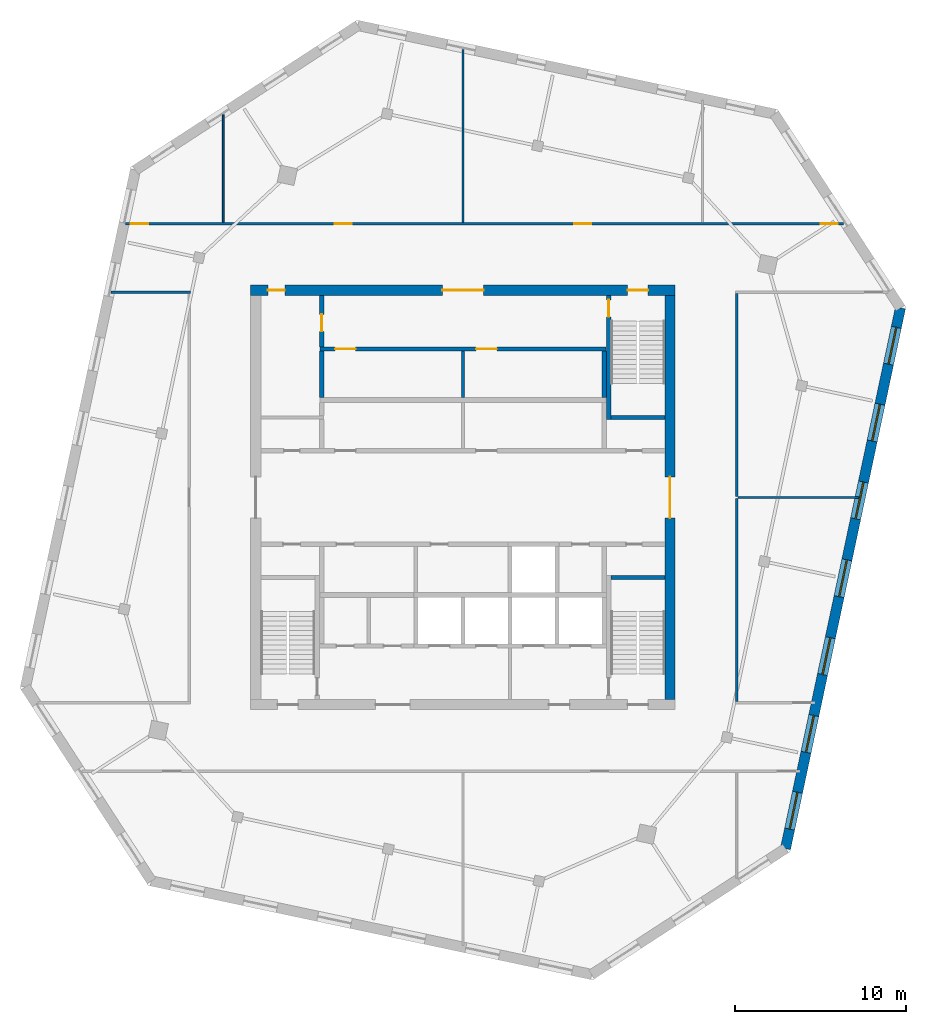
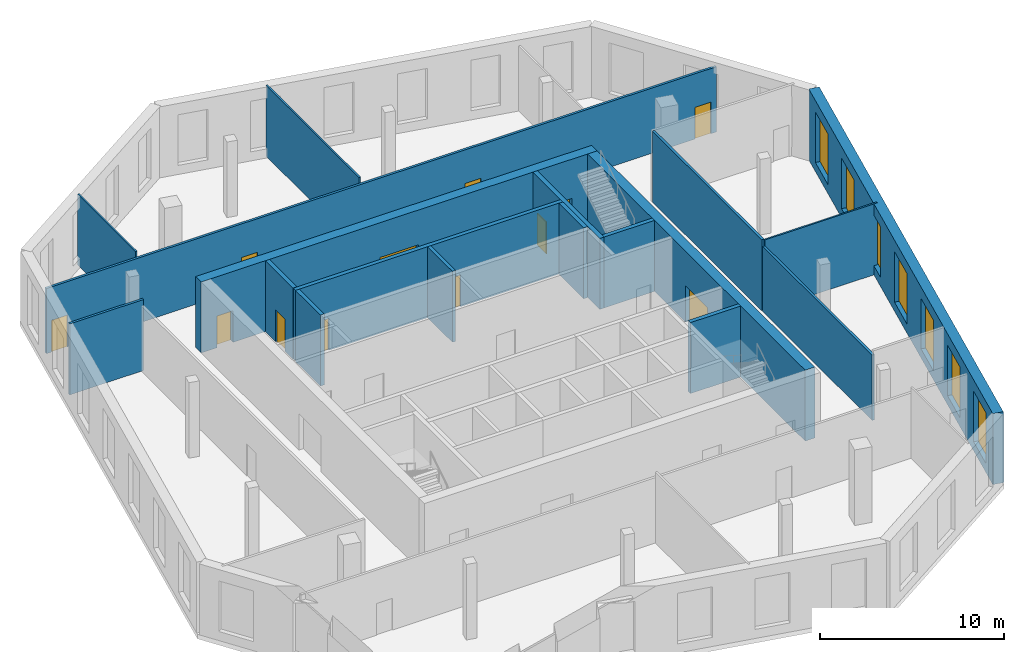
# One storey, part 4 of 6: 18 walls, 12 doors, 7 windows, 19 openings.
"""IFC4 building model written with IfcOpenShell, lengths in metres."""

from ifc_helpers import new_model, si_unit, direction, frame, frame_2d, origin, place, context, subcontext, project, spatial, rectangle, extrude, material, layer, layer_set, type_object, element, fill, save


model = new_model("IFC4")

# Units and contexts
model_context = context("Model", 3, precision=1e-05, world=origin(), true_north=direction((0.0, 1.0)))
body_context = subcontext(model_context, "Body", "Model", "MODEL_VIEW")
ifc_project = project(units=[si_unit("LENGTHUNIT", "METRE"), si_unit("AREAUNIT", "SQUARE_METRE"), si_unit("VOLUMEUNIT", "CUBIC_METRE"), si_unit("PLANEANGLEUNIT", "RADIAN"), si_unit("MASSUNIT", "GRAM", prefix="KILO")], contexts=[model_context])

# Site, building, storey
site_placement = place(None, origin())
site = spatial("IfcSite", under=ifc_project, at=site_placement, CompositionType="ELEMENT")
building_placement = place(site_placement, origin())
building = spatial("IfcBuilding", under=site, at=building_placement, Name="Dilmun Exchange Tower", CompositionType="ELEMENT")
storey_placement = place(building_placement, frame((0.0, 0.0, 358.10009765625)))
storey = spatial("IfcBuildingStorey", under=building, at=storey_placement, Name="Crown L84", CompositionType="ELEMENT", Elevation=358.10009765625)

# Walls
ifc_material_1 = material(Name="Concrete C40/50", Category="concrete")
ifc_layer_1 = layer(ifc_material_1, 0.199951171875)
ifc_layer_set_1 = layer_set([ifc_layer_1], Name="Concrete C40/50")
wall_type_1 = type_object("IfcWallType", Name="Core partition wall 200", PredefinedType="PARTITIONING", material=ifc_layer_set_1)
wall_1_placement = place(storey_placement, frame((0.0, 5.85498046875, 0.0), z_axis=(0.0, 0.0, 1.0), x_axis=(0.0, 1.0, 0.0)))
element("IfcWall", 1, at=wall_1_placement, inside=storey, type_object=wall_type_1, Name="Crown L84 core partition wall 19", PredefinedType="PARTITIONING", context=body_context, shape_type="SweptSolid", body=[
    extrude(rectangle(XDim=2.68994140625, YDim=0.199951171875, at=frame_2d((1.344970703125, 0.0))), origin(), (0.0, 0.0, 1.0), 4.699951171875),
])
ifc_layer_2 = layer(ifc_material_1, 0.25)
ifc_layer_set_2 = layer_set([ifc_layer_2], Name="Concrete C40/50")
wall_type_2 = type_object("IfcWallType", Name="Core partition wall 250", PredefinedType="PARTITIONING", material=ifc_layer_set_2)
for number, where, z_axis, x_axis, name in (
    (2, (-8.25, 5.85498046875, 0.0), (0.0, 0.0, 1.0), (0.0, 1.0, 0.0), "Crown L84 core partition wall 18"),
    (3, (8.25, 5.85498046875, 0.0), (0.0, 0.0, 1.0), (0.0, 1.0, 0.0), "Crown L84 core partition wall 20"),
):
    element("IfcWall", number, at=place(storey_placement, frame(where, z_axis=z_axis, x_axis=x_axis)), inside=storey, type_object=wall_type_2, Name=name, PredefinedType="PARTITIONING", context=body_context, shape_type="SweptSolid", body=[
        extrude(rectangle(XDim=2.68994140625, YDim=0.25, at=frame_2d((1.344970703125, 0.0))), origin(), (0.0, 0.0, 1.0), 4.699951171875),
    ])

# Wall, openings, doors
wall_2_placement = place(storey_placement, frame((-8.35009765625, 8.675048828125, 0.0), z_axis=(0.0, 0.0, 1.0), x_axis=(1.0, 0.0, 0.0)))
wall_2 = element("IfcWall", 4, at=wall_2_placement, inside=storey, type_object=wall_type_2, Name="Crown L84 core partition wall 21", PredefinedType="PARTITIONING", context=body_context, shape_type="SweptSolid", body=[
    extrude(rectangle(XDim=16.72021484375, YDim=0.25, at=frame_2d((8.360107421875, 0.0))), origin(), (0.0, 0.0, 1.0), 4.699951171875),
])
opening_1_placement = place(wall_2_placement, frame((0.875, 0.0, 0.0)))
opening_1 = element("IfcOpeningElement", 5, at=opening_1_placement, cuts=wall_2, Name="Opening CD3", PredefinedType="OPENING", context=body_context, shape_type="SweptSolid", body=[
    extrude(rectangle(XDim=1.199951171875, YDim=2.10009765625, at=frame_2d((0.60009765625, 1.050048828125))), frame((0.0, 0.135009765625, 0.0), z_axis=(0.0, -1.0, 0.0), x_axis=(1.0, 0.0, 0.0)), (0.0, 0.0, 1.0), 0.27001953125),
])
opening_2_placement = place(wall_2_placement, frame((9.125, 0.0, 0.0)))
opening_2 = element("IfcOpeningElement", 6, at=opening_2_placement, cuts=wall_2, Name="Opening CD3", PredefinedType="OPENING", context=body_context, shape_type="SweptSolid", body=[
    extrude(rectangle(XDim=1.199951171875, YDim=2.10009765625, at=frame_2d((0.60009765625, 1.050048828125))), frame((0.0, 0.135009765625, 0.0), z_axis=(0.0, -1.0, 0.0), x_axis=(1.0, 0.0, 0.0)), (0.0, 0.0, 1.0), 0.27001953125),
])
ifc_material_2 = material(Name="Fire-rated steel door set", Category="steel")
door_type_1 = type_object("IfcDoorType", Name="Stair exit door 1200x2100", OperationType="SINGLE_SWING_LEFT", PredefinedType="DOOR", material=ifc_material_2)
door_1_placement = place(opening_1_placement, origin())
door_1 = element("IfcDoor", 7, at=door_1_placement, inside=storey, type_object=door_type_1, Name="Crown L84 door Tenant amenity store", OperationType="SINGLE_SWING_LEFT", OverallHeight=2.10009765625, OverallWidth=1.199951171875, PredefinedType="DOOR", context=body_context, shape_type="SweptSolid", body=[
    extrude(rectangle(XDim=1.199951171875, YDim=2.10009765625, at=frame_2d((0.60009765625, 1.050048828125))), frame((0.0, 0.02490234375, 0.0), z_axis=(0.0, -1.0, 0.0), x_axis=(1.0, 0.0, 0.0)), (0.0, 0.0, 1.0), 0.050048828125),
])
fill(opening_1, door_1)
door_2_placement = place(opening_2_placement, origin())
door_2 = element("IfcDoor", 8, at=door_2_placement, inside=storey, type_object=door_type_1, Name="Crown L84 door Facilities workshop", OperationType="SINGLE_SWING_LEFT", OverallHeight=2.10009765625, OverallWidth=1.199951171875, PredefinedType="DOOR", context=body_context, shape_type="SweptSolid", body=[
    extrude(rectangle(XDim=1.199951171875, YDim=2.10009765625, at=frame_2d((0.60009765625, 1.050048828125))), frame((0.0, 0.02490234375, 0.0), z_axis=(0.0, -1.0, 0.0), x_axis=(1.0, 0.0, 0.0)), (0.0, 0.0, 1.0), 0.050048828125),
])
fill(opening_2, door_2)

# Wall, opening, door
wall_3_placement = place(storey_placement, frame((-8.25, 8.804931640625, 0.0), z_axis=(0.0, 0.0, 1.0), x_axis=(0.0, 1.0, 0.0)))
wall_3 = element("IfcWall", 9, at=wall_3_placement, inside=storey, type_object=wall_type_2, Name="Crown L84 core partition wall 22", PredefinedType="PARTITIONING", context=body_context, shape_type="SweptSolid", body=[
    extrude(rectangle(XDim=2.989990234375, YDim=0.25, at=frame_2d((1.4951171875, 0.0))), origin(), (0.0, 0.0, 1.0), 4.699951171875),
])
opening_3_placement = place(wall_3_placement, frame((0.89501953125, 0.0, 0.0)))
opening_3 = element("IfcOpeningElement", 10, at=opening_3_placement, cuts=wall_3, Name="Opening CD4", PredefinedType="OPENING", context=body_context, shape_type="SweptSolid", body=[
    extrude(rectangle(XDim=1.0, YDim=2.10009765625, at=frame_2d((0.5, 1.050048828125))), frame((0.0, 0.135009765625, 0.0), z_axis=(0.0, -1.0, 0.0), x_axis=(1.0, 0.0, 0.0)), (0.0, 0.0, 1.0), 0.27001953125),
])
door_type_2 = type_object("IfcDoorType", Name="Core room door 1000x2100", OperationType="SINGLE_SWING_LEFT", PredefinedType="DOOR", material=ifc_material_2)
door_3_placement = place(opening_3_placement, origin())
door_3 = element("IfcDoor", 11, at=door_3_placement, inside=storey, type_object=door_type_2, Name="Crown L84 door Building services room", OperationType="SINGLE_SWING_LEFT", OverallHeight=2.10009765625, OverallWidth=1.0, PredefinedType="DOOR", context=body_context, shape_type="SweptSolid", body=[
    extrude(rectangle(XDim=1.0, YDim=2.10009765625, at=frame_2d((0.5, 1.050048828125))), frame((0.0, 0.02490234375, 0.0), z_axis=(0.0, -1.0, 0.0), x_axis=(1.0, 0.0, 0.0)), (0.0, 0.0, 1.0), 0.050048828125),
])
fill(opening_3, door_3)

# Wall, openings, doors
ifc_material_3 = material(Name="Concrete C50/60", Category="concrete")
ifc_layer_3 = layer(ifc_material_3, 0.60009765625)
ifc_layer_set_3 = layer_set([ifc_layer_3], Name="Concrete C50/60")
wall_type_3 = type_object("IfcWallType", Name="Core shear wall 600 Concrete C50/60", PredefinedType="SHEAR", material=ifc_layer_set_3)
wall_4_placement = place(storey_placement, frame((-12.39990234375, 12.10009765625, 0.0), z_axis=(0.0, 0.0, 1.0), x_axis=(1.0, 0.0, 0.0)))
wall_4 = element("IfcWall", 12, at=wall_4_placement, inside=storey, type_object=wall_type_3, Name="Crown L84 core shear wall N", PredefinedType="SHEAR", context=body_context, shape_type="SweptSolid", body=[
    extrude(rectangle(XDim=24.7998046875, YDim=0.60009765625, at=frame_2d((12.39990234375, 0.0))), origin(), (0.0, 0.0, 1.0), 4.699951171875),
])
opening_4_placement = place(wall_4_placement, frame((11.199951171875, 0.0, 0.0)))
opening_4 = element("IfcOpeningElement", 13, at=opening_4_placement, cuts=wall_4, Name="Opening CD1", PredefinedType="OPENING", context=body_context, shape_type="SweptSolid", body=[
    extrude(rectangle(XDim=2.39990234375, YDim=2.39990234375, at=frame_2d((1.199951171875, 1.199951171875))), frame((0.0, 0.31005859375, 0.0), z_axis=(0.0, -1.0, 0.0), x_axis=(1.0, 0.0, 0.0)), (0.0, 0.0, 1.0), 0.6201171875),
])
opening_5_placement = place(wall_4_placement, frame((22.02490234375, 0.0, 0.0)))
opening_5 = element("IfcOpeningElement", 14, at=opening_5_placement, cuts=wall_4, Name="Opening CD3", PredefinedType="OPENING", context=body_context, shape_type="SweptSolid", body=[
    extrude(rectangle(XDim=1.199951171875, YDim=2.10009765625, at=frame_2d((0.60009765625, 1.050048828125))), frame((0.0, 0.31005859375, 0.0), z_axis=(0.0, -1.0, 0.0), x_axis=(1.0, 0.0, 0.0)), (0.0, 0.0, 1.0), 0.6201171875),
])
opening_6_placement = place(wall_4_placement, frame((1.0, 0.0, 0.0)))
opening_6 = element("IfcOpeningElement", 15, at=opening_6_placement, cuts=wall_4, Name="Opening CD4", PredefinedType="OPENING", context=body_context, shape_type="SweptSolid", body=[
    extrude(rectangle(XDim=1.0, YDim=2.10009765625, at=frame_2d((0.5, 1.050048828125))), frame((0.0, 0.31005859375, 0.0), z_axis=(0.0, -1.0, 0.0), x_axis=(1.0, 0.0, 0.0)), (0.0, 0.0, 1.0), 0.6201171875),
])
door_type_3 = type_object("IfcDoorType", Name="Core lobby door 2400x2400", OperationType="DOUBLE_DOOR_DOUBLE_SWING", PredefinedType="DOOR", material=ifc_material_2)
door_4_placement = place(opening_4_placement, origin())
door_4 = element("IfcDoor", 16, at=door_4_placement, inside=storey, type_object=door_type_3, Name="Crown L84 door North lift lobby", OperationType="SINGLE_SWING_LEFT", OverallHeight=2.39990234375, OverallWidth=2.39990234375, PredefinedType="DOOR", context=body_context, shape_type="SweptSolid", body=[
    extrude(rectangle(XDim=2.39990234375, YDim=2.39990234375, at=frame_2d((1.199951171875, 1.199951171875))), frame((0.0, 0.02490234375, 0.0), z_axis=(0.0, -1.0, 0.0), x_axis=(1.0, 0.0, 0.0)), (0.0, 0.0, 1.0), 0.050048828125),
])
fill(opening_4, door_4)
door_5_placement = place(opening_6_placement, origin())
door_5 = element("IfcDoor", 17, at=door_5_placement, inside=storey, type_object=door_type_2, Name="Crown L84 door North-west core rooms", OperationType="SINGLE_SWING_LEFT", OverallHeight=2.10009765625, OverallWidth=1.0, PredefinedType="DOOR", context=body_context, shape_type="SweptSolid", body=[
    extrude(rectangle(XDim=1.0, YDim=2.10009765625, at=frame_2d((0.5, 1.050048828125))), frame((0.0, 0.02490234375, 0.0), z_axis=(0.0, -1.0, 0.0), x_axis=(1.0, 0.0, 0.0)), (0.0, 0.0, 1.0), 0.050048828125),
])
fill(opening_6, door_5)
door_6_placement = place(opening_5_placement, origin())
door_6 = element("IfcDoor", 18, at=door_6_placement, inside=storey, type_object=door_type_1, Name="Crown L84 door Stair ST1", OperationType="SINGLE_SWING_LEFT", OverallHeight=2.10009765625, OverallWidth=1.199951171875, PredefinedType="DOOR", context=body_context, shape_type="SweptSolid", body=[
    extrude(rectangle(XDim=1.199951171875, YDim=2.10009765625, at=frame_2d((0.60009765625, 1.050048828125))), frame((0.0, 0.02490234375, 0.0), z_axis=(0.0, -1.0, 0.0), x_axis=(1.0, 0.0, 0.0)), (0.0, 0.0, 1.0), 0.050048828125),
])
fill(opening_5, door_6)

# Wall, opening, door
wall_5_placement = place(storey_placement, frame((12.10009765625, -11.800048828125, 0.0), z_axis=(0.0, 0.0, 1.0), x_axis=(0.0, 1.0, 0.0)))
wall_5 = element("IfcWall", 19, at=wall_5_placement, inside=storey, type_object=wall_type_3, Name="Crown L84 core shear wall E", PredefinedType="SHEAR", context=body_context, shape_type="SweptSolid", body=[
    extrude(rectangle(XDim=23.60009765625, YDim=0.60009765625, at=frame_2d((11.800048828125, 0.0))), origin(), (0.0, 0.0, 1.0), 4.699951171875),
])
opening_7_placement = place(wall_5_placement, frame((10.60009765625, 0.0, 0.0)))
opening_7 = element("IfcOpeningElement", 20, at=opening_7_placement, cuts=wall_5, Name="Opening CD1", PredefinedType="OPENING", context=body_context, shape_type="SweptSolid", body=[
    extrude(rectangle(XDim=2.39990234375, YDim=2.39990234375, at=frame_2d((1.199951171875, 1.199951171875))), frame((0.0, 0.31005859375, 0.0), z_axis=(0.0, -1.0, 0.0), x_axis=(1.0, 0.0, 0.0)), (0.0, 0.0, 1.0), 0.6201171875),
])
door_7_placement = place(opening_7_placement, origin())
door_7 = element("IfcDoor", 21, at=door_7_placement, inside=storey, type_object=door_type_3, Name="Crown L84 door Central lift lobby", OperationType="SINGLE_SWING_LEFT", OverallHeight=2.39990234375, OverallWidth=2.39990234375, PredefinedType="DOOR", context=body_context, shape_type="SweptSolid", body=[
    extrude(rectangle(XDim=2.39990234375, YDim=2.39990234375, at=frame_2d((1.199951171875, 1.199951171875))), frame((0.0, 0.02490234375, 0.0), z_axis=(0.0, -1.0, 0.0), x_axis=(1.0, 0.0, 0.0)), (0.0, 0.0, 1.0), 0.050048828125),
])
fill(opening_7, door_7)

# Wall
ifc_material_4 = material(Name="Fire partition EI 60 150 gypsum")
ifc_layer_4 = layer(ifc_material_4, 0.14990234375)
ifc_layer_set_4 = layer_set([ifc_layer_4], Name="Fire partition EI 60 150 gypsum")
wall_type_4 = type_object("IfcWallType", Name="Fire partition EI 60 150 gypsum", PredefinedType="PARTITIONING", material=ifc_layer_set_4)
wall_6_placement = place(storey_placement, frame((-20.55419921875, 12.0, 0.0), z_axis=(0.0, 0.0, 1.0), x_axis=(1.0, 0.0, 0.0)))
element("IfcWall", 22, at=wall_6_placement, inside=storey, type_object=wall_type_4, Name="Crown L84 partition", PredefinedType="PARTITIONING", context=body_context, shape_type="SweptSolid", body=[
    extrude(rectangle(XDim=4.629150390625, YDim=0.14990234375, at=frame_2d((2.314453125, 0.0))), origin(), (0.0, 0.0, 1.0), 4.699951171875),
])

# Wall, openings, doors
wall_7_placement = place(storey_placement, frame((-19.7041015625, 16.0, 0.0), z_axis=(0.0, 0.0, 1.0), x_axis=(1.0, 0.0, 0.0)))
wall_7 = element("IfcWall", 23, at=wall_7_placement, inside=storey, type_object=wall_type_4, Name="Crown L84 partition", PredefinedType="PARTITIONING", context=body_context, shape_type="SweptSolid", body=[
    extrude(rectangle(XDim=41.947998046875, YDim=0.14990234375, at=frame_2d((20.97412109375, 0.0))), origin(), (0.0, 0.0, 1.0), 4.31982421875),
])
opening_8_placement = place(wall_7_placement, frame((0.303955078125, 0.0, 0.0)))
opening_8 = element("IfcOpeningElement", 24, at=opening_8_placement, cuts=wall_7, Name="Opening CrownL84-D001", PredefinedType="OPENING", context=body_context, shape_type="SweptSolid", body=[
    extrude(rectangle(XDim=1.0, YDim=2.10009765625, at=frame_2d((0.5, 1.050048828125))), frame((0.0, 0.0849609375, 0.0), z_axis=(0.0, -1.0, 0.0), x_axis=(1.0, 0.0, 0.0)), (0.0, 0.0, 1.0), 0.169921875),
])
opening_9_placement = place(wall_7_placement, frame((12.2041015625, 0.0, 0.0)))
opening_9 = element("IfcOpeningElement", 25, at=opening_9_placement, cuts=wall_7, Name="Opening CrownL84-D002", PredefinedType="OPENING", context=body_context, shape_type="SweptSolid", body=[
    extrude(rectangle(XDim=1.0, YDim=2.10009765625, at=frame_2d((0.5, 1.050048828125))), frame((0.0, 0.0849609375, 0.0), z_axis=(0.0, -1.0, 0.0), x_axis=(1.0, 0.0, 0.0)), (0.0, 0.0, 1.0), 0.169921875),
])
opening_10_placement = place(wall_7_placement, frame((26.2041015625, 0.0, 0.0)))
opening_10 = element("IfcOpeningElement", 26, at=opening_10_placement, cuts=wall_7, Name="Opening CrownL84-D003", PredefinedType="OPENING", context=body_context, shape_type="SweptSolid", body=[
    extrude(rectangle(XDim=1.0, YDim=2.10009765625, at=frame_2d((0.5, 1.050048828125))), frame((0.0, 0.0849609375, 0.0), z_axis=(0.0, -1.0, 0.0), x_axis=(1.0, 0.0, 0.0)), (0.0, 0.0, 1.0), 0.169921875),
])
opening_11_placement = place(wall_7_placement, frame((40.60400390625, 0.0, 0.0)))
opening_11 = element("IfcOpeningElement", 27, at=opening_11_placement, cuts=wall_7, Name="Opening CrownL84-D004", PredefinedType="OPENING", context=body_context, shape_type="SweptSolid", body=[
    extrude(rectangle(XDim=1.0, YDim=2.10009765625, at=frame_2d((0.5, 1.050048828125))), frame((0.0, 0.0849609375, 0.0), z_axis=(0.0, -1.0, 0.0), x_axis=(1.0, 0.0, 0.0)), (0.0, 0.0, 1.0), 0.169921875),
])
ifc_material_5 = material(Name="Fire door FD60 1000 x 2100")
door_type_4 = type_object("IfcDoorType", Name="Fire door FD60 1000 x 2100", OperationType="SINGLE_SWING_LEFT", PredefinedType="DOOR", material=ifc_material_5)
door_8_placement = place(opening_8_placement, origin())
door_8 = element("IfcDoor", 28, at=door_8_placement, inside=storey, type_object=door_type_4, Name="Crown L84 door CrownL84-D001", OperationType="SINGLE_SWING_LEFT", OverallHeight=2.10009765625, OverallWidth=1.0, PredefinedType="DOOR", context=body_context, shape_type="SweptSolid", body=[
    extrude(rectangle(XDim=1.0, YDim=2.10009765625, at=frame_2d((0.5, 1.050048828125))), frame((0.0, 0.02490234375, 0.0), z_axis=(0.0, -1.0, 0.0), x_axis=(1.0, 0.0, 0.0)), (0.0, 0.0, 1.0), 0.050048828125),
])
fill(opening_8, door_8)
door_9_placement = place(opening_9_placement, origin())
door_9 = element("IfcDoor", 29, at=door_9_placement, inside=storey, type_object=door_type_4, Name="Crown L84 door CrownL84-D002", OperationType="SINGLE_SWING_RIGHT", OverallHeight=2.10009765625, OverallWidth=1.0, PredefinedType="DOOR", context=body_context, shape_type="SweptSolid", body=[
    extrude(rectangle(XDim=1.0, YDim=2.10009765625, at=frame_2d((0.5, 1.050048828125))), frame((0.0, 0.02490234375, 0.0), z_axis=(0.0, -1.0, 0.0), x_axis=(1.0, 0.0, 0.0)), (0.0, 0.0, 1.0), 0.050048828125),
])
fill(opening_9, door_9)
door_10_placement = place(opening_10_placement, origin())
door_10 = element("IfcDoor", 30, at=door_10_placement, inside=storey, type_object=door_type_4, Name="Crown L84 door CrownL84-D003", OperationType="SINGLE_SWING_LEFT", OverallHeight=2.10009765625, OverallWidth=1.0, PredefinedType="DOOR", context=body_context, shape_type="SweptSolid", body=[
    extrude(rectangle(XDim=1.0, YDim=2.10009765625, at=frame_2d((0.5, 1.050048828125))), frame((0.0, 0.02490234375, 0.0), z_axis=(0.0, -1.0, 0.0), x_axis=(1.0, 0.0, 0.0)), (0.0, 0.0, 1.0), 0.050048828125),
])
fill(opening_10, door_10)
door_11_placement = place(opening_11_placement, origin())
door_11 = element("IfcDoor", 31, at=door_11_placement, inside=storey, type_object=door_type_4, Name="Crown L84 door CrownL84-D004", OperationType="SINGLE_SWING_RIGHT", OverallHeight=2.10009765625, OverallWidth=1.0, PredefinedType="DOOR", context=body_context, shape_type="SweptSolid", body=[
    extrude(rectangle(XDim=1.0, YDim=2.10009765625, at=frame_2d((0.5, 1.050048828125))), frame((0.0, 0.02490234375, 0.0), z_axis=(0.0, -1.0, 0.0), x_axis=(1.0, 0.0, 0.0)), (0.0, 0.0, 1.0), 0.050048828125),
])
fill(opening_11, door_11)

# Walls
wall_8_placement = place(storey_placement, frame((16.0, -11.925048828125, 0.0), z_axis=(0.0, 0.0, 1.0), x_axis=(0.0, 1.0, 0.0)))
element("IfcWall", 32, at=wall_8_placement, inside=storey, type_object=wall_type_4, Name="Crown L84 partition", PredefinedType="PARTITIONING", context=body_context, shape_type="SweptSolid", body=[
    extrude(rectangle(XDim=11.875, YDim=0.14990234375, at=frame_2d((5.9375, 0.0))), origin(), (0.0, 0.0, 1.0), 4.31982421875),
])
wall_9_placement = place(storey_placement, frame((16.0, 0.050048828125, 0.0), z_axis=(0.0, 0.0, 1.0), x_axis=(0.0, 1.0, 0.0)))
element("IfcWall", 33, at=wall_9_placement, inside=storey, type_object=wall_type_4, Name="Crown L84 partition", PredefinedType="PARTITIONING", context=body_context, shape_type="SweptSolid", body=[
    extrude(rectangle(XDim=11.875, YDim=0.14990234375, at=frame_2d((5.9375, 0.0))), origin(), (0.0, 0.0, 1.0), 4.699951171875),
])
ifc_material_6 = material(Name="Partition 100 gypsum")
ifc_layer_5 = layer(ifc_material_6, 0.10009765625)
ifc_layer_set_5 = layer_set([ifc_layer_5], Name="Partition 100 gypsum")
wall_type_5 = type_object("IfcWallType", Name="Partition 100 gypsum", PredefinedType="PARTITIONING", material=ifc_layer_set_5)
wall_10_placement = place(storey_placement, frame((16.074951171875, 0.0, 0.0), z_axis=(0.0, 0.0, 1.0), x_axis=(1.0, 0.0, 0.0)))
element("IfcWall", 34, at=wall_10_placement, inside=storey, type_object=wall_type_5, Name="Crown L84 partition", PredefinedType="PARTITIONING", context=body_context, shape_type="SweptSolid", body=[
    extrude(rectangle(XDim=7.030029296875, YDim=0.10009765625, at=frame_2d((3.51513671875, 0.0))), origin(), (0.0, 0.0, 1.0), 4.699951171875),
])
wall_11_placement = place(storey_placement, frame((-14.0, 16.074951171875, 0.0), z_axis=(0.0, 0.0, 1.0), x_axis=(0.0, 1.0, 0.0)))
element("IfcWall", 35, at=wall_11_placement, inside=storey, type_object=wall_type_5, Name="Crown L84 partition", PredefinedType="PARTITIONING", context=body_context, shape_type="SweptSolid", body=[
    extrude(rectangle(XDim=6.275390625, YDim=0.10009765625, at=frame_2d((3.1376953125, 0.0))), origin(), (0.0, 0.0, 1.0), 4.699951171875),
])
wall_12_placement = place(storey_placement, frame((0.0, 16.074951171875, 0.0), z_axis=(0.0, 0.0, 1.0), x_axis=(0.0, 1.0, 0.0)))
element("IfcWall", 36, at=wall_12_placement, inside=storey, type_object=wall_type_5, Name="Crown L84 partition", PredefinedType="PARTITIONING", context=body_context, shape_type="SweptSolid", body=[
    extrude(rectangle(XDim=10.096923828125, YDim=0.10009765625, at=frame_2d((5.04833984375, 0.0))), origin(), (0.0, 0.0, 1.0), 4.699951171875),
])

# Wall, openings, windows
ifc_material_7 = material(Name="Precast concrete C50/60", Category="concrete")
ifc_layer_6 = layer(ifc_material_7, 0.60009765625)
ifc_layer_set_6 = layer_set([ifc_layer_6], Name="Precast concrete C50/60")
wall_type_6 = type_object("IfcWallType", Name="Precast stone-clad wall 600", PredefinedType="STANDARD", material=ifc_layer_set_6)
wall_13_placement = place(storey_placement, frame((18.8466796875, -20.514404296875, 0.0), z_axis=(0.0, 0.0, 1.0), x_axis=(0.207910832809, 0.978147783109, 0.0)))
wall_13 = element("IfcWall", 37, at=wall_13_placement, inside=storey, type_object=wall_type_6, Name="Facade wall Crown L84-02", PredefinedType="STANDARD", context=body_context, shape_type="SweptSolid", body=[
    extrude(rectangle(XDim=32.295654296875, YDim=0.60009765625, at=frame_2d((16.14794921875, 0.0))), origin(), (0.0, 0.0, 1.0), 4.699951171875),
])
opening_12_placement = place(wall_13_placement, frame((1.16259765625, 0.0, 0.60009765625)))
opening_12 = element("IfcOpeningElement", 38, at=opening_12_placement, cuts=wall_13, Name="Opening LV220-335", PredefinedType="OPENING", context=body_context, shape_type="SweptSolid", body=[
    extrude(rectangle(XDim=2.199951171875, YDim=3.35009765625, at=frame_2d((1.10009765625, 1.675048828125))), frame((0.0, 0.31005859375, 0.0), z_axis=(0.0, -1.0, 0.0), x_axis=(1.0, 0.0, 0.0)), (0.0, 0.0, 1.0), 0.6201171875),
])
opening_13_placement = place(wall_13_placement, frame((5.74951171875, 0.0, 0.60009765625)))
opening_13 = element("IfcOpeningElement", 39, at=opening_13_placement, cuts=wall_13, Name="Opening LV220-335", PredefinedType="OPENING", context=body_context, shape_type="SweptSolid", body=[
    extrude(rectangle(XDim=2.199951171875, YDim=3.35009765625, at=frame_2d((1.10009765625, 1.675048828125))), frame((0.0, 0.31005859375, 0.0), z_axis=(0.0, -1.0, 0.0), x_axis=(1.0, 0.0, 0.0)), (0.0, 0.0, 1.0), 0.6201171875),
])
opening_14_placement = place(wall_13_placement, frame((10.398681640625, 0.0, 0.60009765625)))
opening_14 = element("IfcOpeningElement", 40, at=opening_14_placement, cuts=wall_13, Name="Opening LV220-335", PredefinedType="OPENING", context=body_context, shape_type="SweptSolid", body=[
    extrude(rectangle(XDim=2.199951171875, YDim=3.35009765625, at=frame_2d((1.10009765625, 1.675048828125))), frame((0.0, 0.31005859375, 0.0), z_axis=(0.0, -1.0, 0.0), x_axis=(1.0, 0.0, 0.0)), (0.0, 0.0, 1.0), 0.6201171875),
])
opening_15_placement = place(wall_13_placement, frame((15.0478515625, 0.0, 0.60009765625)))
opening_15 = element("IfcOpeningElement", 41, at=opening_15_placement, cuts=wall_13, Name="Opening LV220-335", PredefinedType="OPENING", context=body_context, shape_type="SweptSolid", body=[
    extrude(rectangle(XDim=2.199951171875, YDim=3.35009765625, at=frame_2d((1.10009765625, 1.675048828125))), frame((0.0, 0.31005859375, 0.0), z_axis=(0.0, -1.0, 0.0), x_axis=(1.0, 0.0, 0.0)), (0.0, 0.0, 1.0), 0.6201171875),
])
opening_16_placement = place(wall_13_placement, frame((19.697021484375, 0.0, 0.60009765625)))
opening_16 = element("IfcOpeningElement", 42, at=opening_16_placement, cuts=wall_13, Name="Opening LV220-335", PredefinedType="OPENING", context=body_context, shape_type="SweptSolid", body=[
    extrude(rectangle(XDim=2.199951171875, YDim=3.35009765625, at=frame_2d((1.10009765625, 1.675048828125))), frame((0.0, 0.31005859375, 0.0), z_axis=(0.0, -1.0, 0.0), x_axis=(1.0, 0.0, 0.0)), (0.0, 0.0, 1.0), 0.6201171875),
])
opening_17_placement = place(wall_13_placement, frame((24.34619140625, 0.0, 0.60009765625)))
opening_17 = element("IfcOpeningElement", 43, at=opening_17_placement, cuts=wall_13, Name="Opening LV220-335", PredefinedType="OPENING", context=body_context, shape_type="SweptSolid", body=[
    extrude(rectangle(XDim=2.199951171875, YDim=3.35009765625, at=frame_2d((1.10009765625, 1.675048828125))), frame((0.0, 0.31005859375, 0.0), z_axis=(0.0, -1.0, 0.0), x_axis=(1.0, 0.0, 0.0)), (0.0, 0.0, 1.0), 0.6201171875),
])
opening_18_placement = place(wall_13_placement, frame((28.93310546875, 0.0, 0.60009765625)))
opening_18 = element("IfcOpeningElement", 44, at=opening_18_placement, cuts=wall_13, Name="Opening LV220-335", PredefinedType="OPENING", context=body_context, shape_type="SweptSolid", body=[
    extrude(rectangle(XDim=2.199951171875, YDim=3.35009765625, at=frame_2d((1.10009765625, 1.675048828125))), frame((0.0, 0.31005859375, 0.0), z_axis=(0.0, -1.0, 0.0), x_axis=(1.0, 0.0, 0.0)), (0.0, 0.0, 1.0), 0.6201171875),
])
ifc_material_8 = material(Name="Anodised aluminium louvre blades with sand trap", Category="aluminium")
window_type = type_object("IfcWindowType", Name="Plant louvre 2200 x 3350", PartitioningType="SINGLE_PANEL", PredefinedType="USERDEFINED", material=ifc_material_8)
window_1_placement = place(opening_12_placement, origin())
window_1 = element("IfcWindow", 45, at=window_1_placement, inside=storey, type_object=window_type, Name="Plant louvre 3.1", ObjectType="LOUVRE", OverallHeight=3.35009765625, OverallWidth=2.199951171875, PartitioningType="SINGLE_PANEL", PredefinedType="USERDEFINED", context=body_context, shape_type="SweptSolid", body=[
    extrude(rectangle(XDim=2.199951171875, YDim=3.35009765625, at=frame_2d((1.10009765625, 1.675048828125))), frame((0.0, 0.030029296875, 0.0), z_axis=(0.0, -1.0, 0.0), x_axis=(1.0, 0.0, 0.0)), (0.0, 0.0, 1.0), 0.06005859375),
])
fill(opening_12, window_1)
window_2_placement = place(opening_13_placement, origin())
window_2 = element("IfcWindow", 46, at=window_2_placement, inside=storey, type_object=window_type, Name="Plant louvre 3.2", ObjectType="LOUVRE", OverallHeight=3.35009765625, OverallWidth=2.199951171875, PartitioningType="SINGLE_PANEL", PredefinedType="USERDEFINED", context=body_context, shape_type="SweptSolid", body=[
    extrude(rectangle(XDim=2.199951171875, YDim=3.35009765625, at=frame_2d((1.10009765625, 1.675048828125))), frame((0.0, 0.030029296875, 0.0), z_axis=(0.0, -1.0, 0.0), x_axis=(1.0, 0.0, 0.0)), (0.0, 0.0, 1.0), 0.06005859375),
])
fill(opening_13, window_2)
window_3_placement = place(opening_14_placement, origin())
window_3 = element("IfcWindow", 47, at=window_3_placement, inside=storey, type_object=window_type, Name="Plant louvre 3.3", ObjectType="LOUVRE", OverallHeight=3.35009765625, OverallWidth=2.199951171875, PartitioningType="SINGLE_PANEL", PredefinedType="USERDEFINED", context=body_context, shape_type="SweptSolid", body=[
    extrude(rectangle(XDim=2.199951171875, YDim=3.35009765625, at=frame_2d((1.10009765625, 1.675048828125))), frame((0.0, 0.030029296875, 0.0), z_axis=(0.0, -1.0, 0.0), x_axis=(1.0, 0.0, 0.0)), (0.0, 0.0, 1.0), 0.06005859375),
])
fill(opening_14, window_3)
window_4_placement = place(opening_15_placement, origin())
window_4 = element("IfcWindow", 48, at=window_4_placement, inside=storey, type_object=window_type, Name="Plant louvre 3.4", ObjectType="LOUVRE", OverallHeight=3.35009765625, OverallWidth=2.199951171875, PartitioningType="SINGLE_PANEL", PredefinedType="USERDEFINED", context=body_context, shape_type="SweptSolid", body=[
    extrude(rectangle(XDim=2.199951171875, YDim=3.35009765625, at=frame_2d((1.10009765625, 1.675048828125))), frame((0.0, 0.030029296875, 0.0), z_axis=(0.0, -1.0, 0.0), x_axis=(1.0, 0.0, 0.0)), (0.0, 0.0, 1.0), 0.06005859375),
])
fill(opening_15, window_4)
window_5_placement = place(opening_16_placement, origin())
window_5 = element("IfcWindow", 49, at=window_5_placement, inside=storey, type_object=window_type, Name="Plant louvre 3.5", ObjectType="LOUVRE", OverallHeight=3.35009765625, OverallWidth=2.199951171875, PartitioningType="SINGLE_PANEL", PredefinedType="USERDEFINED", context=body_context, shape_type="SweptSolid", body=[
    extrude(rectangle(XDim=2.199951171875, YDim=3.35009765625, at=frame_2d((1.10009765625, 1.675048828125))), frame((0.0, 0.030029296875, 0.0), z_axis=(0.0, -1.0, 0.0), x_axis=(1.0, 0.0, 0.0)), (0.0, 0.0, 1.0), 0.06005859375),
])
fill(opening_16, window_5)
window_6_placement = place(opening_17_placement, origin())
window_6 = element("IfcWindow", 50, at=window_6_placement, inside=storey, type_object=window_type, Name="Plant louvre 3.6", ObjectType="LOUVRE", OverallHeight=3.35009765625, OverallWidth=2.199951171875, PartitioningType="SINGLE_PANEL", PredefinedType="USERDEFINED", context=body_context, shape_type="SweptSolid", body=[
    extrude(rectangle(XDim=2.199951171875, YDim=3.35009765625, at=frame_2d((1.10009765625, 1.675048828125))), frame((0.0, 0.030029296875, 0.0), z_axis=(0.0, -1.0, 0.0), x_axis=(1.0, 0.0, 0.0)), (0.0, 0.0, 1.0), 0.06005859375),
])
fill(opening_17, window_6)
window_7_placement = place(opening_18_placement, origin())
window_7 = element("IfcWindow", 51, at=window_7_placement, inside=storey, type_object=window_type, Name="Plant louvre 3.7", ObjectType="LOUVRE", OverallHeight=3.35009765625, OverallWidth=2.199951171875, PartitioningType="SINGLE_PANEL", PredefinedType="USERDEFINED", context=body_context, shape_type="SweptSolid", body=[
    extrude(rectangle(XDim=2.199951171875, YDim=3.35009765625, at=frame_2d((1.10009765625, 1.675048828125))), frame((0.0, 0.030029296875, 0.0), z_axis=(0.0, -1.0, 0.0), x_axis=(1.0, 0.0, 0.0)), (0.0, 0.0, 1.0), 0.06005859375),
])
fill(opening_18, window_7)

# Walls
ifc_layer_7 = layer(ifc_material_1, 0.25)
ifc_layer_set_7 = layer_set([ifc_layer_7], Name="Concrete C40/50")
wall_type_7 = type_object("IfcWallType", Name="Stair end wall 250", PredefinedType="SOLIDWALL", material=ifc_layer_set_7)
for number, where, z_axis, x_axis, name in (
    (52, (8.64990234375, 4.675048828125, 0.0), (0.0, 0.0, 1.0), (1.0, 0.0, 0.0), "Crown L84 ST1 far wall"),
    (53, (8.64990234375, -4.675048828125, 0.0), (0.0, 0.0, 1.0), (1.0, 0.0, 0.0), "Crown L84 ST3 far wall"),
):
    element("IfcWall", number, at=place(storey_placement, frame(where, z_axis=z_axis, x_axis=x_axis)), inside=storey, type_object=wall_type_7, Name=name, PredefinedType="SOLIDWALL", context=body_context, shape_type="SweptSolid", body=[
        extrude(rectangle(XDim=3.150146484375, YDim=0.25, at=frame_2d((1.5751953125, 0.0))), origin(), (0.0, 0.0, 1.0), 4.699951171875),
    ])

# Wall, opening, door
ifc_layer_8 = layer(ifc_material_1, 0.27490234375)
ifc_layer_set_8 = layer_set([ifc_layer_8], Name="Concrete C40/50")
wall_type_8 = type_object("IfcWallType", Name="Stair wall 275", PredefinedType="SOLIDWALL", material=ifc_layer_set_8)
wall_14_placement = place(storey_placement, frame((8.512451171875, 4.550048828125, 0.0), z_axis=(0.0, 0.0, 1.0), x_axis=(0.0, 1.0, 0.0)))
wall_14 = element("IfcWall", 54, at=wall_14_placement, inside=storey, type_object=wall_type_8, Name="Crown L84 ST1 wall to lift block", PredefinedType="SOLIDWALL", context=body_context, shape_type="SweptSolid", body=[
    extrude(rectangle(XDim=7.25, YDim=0.27490234375, at=frame_2d((3.625, 0.0))), origin(), (0.0, 0.0, 1.0), 4.699951171875),
])
opening_19_placement = place(wall_14_placement, frame((6.0, 0.0, 0.0)))
opening_19 = element("IfcOpeningElement", 55, at=opening_19_placement, cuts=wall_14, Name="Opening CD4", PredefinedType="OPENING", context=body_context, shape_type="SweptSolid", body=[
    extrude(rectangle(XDim=1.0, YDim=2.10009765625, at=frame_2d((0.5, 1.050048828125))), frame((0.0, 0.1474609375, 0.0), z_axis=(0.0, -1.0, 0.0), x_axis=(1.0, 0.0, 0.0)), (0.0, 0.0, 1.0), 0.294921875),
])
door_12_placement = place(opening_19_placement, origin())
door_12 = element("IfcDoor", 56, at=door_12_placement, inside=storey, type_object=door_type_2, Name="Crown L84 door ST1 from lobby", OperationType="SINGLE_SWING_LEFT", OverallHeight=2.10009765625, OverallWidth=1.0, PredefinedType="DOOR", context=body_context, shape_type="SweptSolid", body=[
    extrude(rectangle(XDim=1.0, YDim=2.10009765625, at=frame_2d((0.5, 1.050048828125))), frame((0.0, 0.02490234375, 0.0), z_axis=(0.0, -1.0, 0.0), x_axis=(1.0, 0.0, 0.0)), (0.0, 0.0, 1.0), 0.050048828125),
])
fill(opening_19, door_12)

save(model, "model.ifc")
